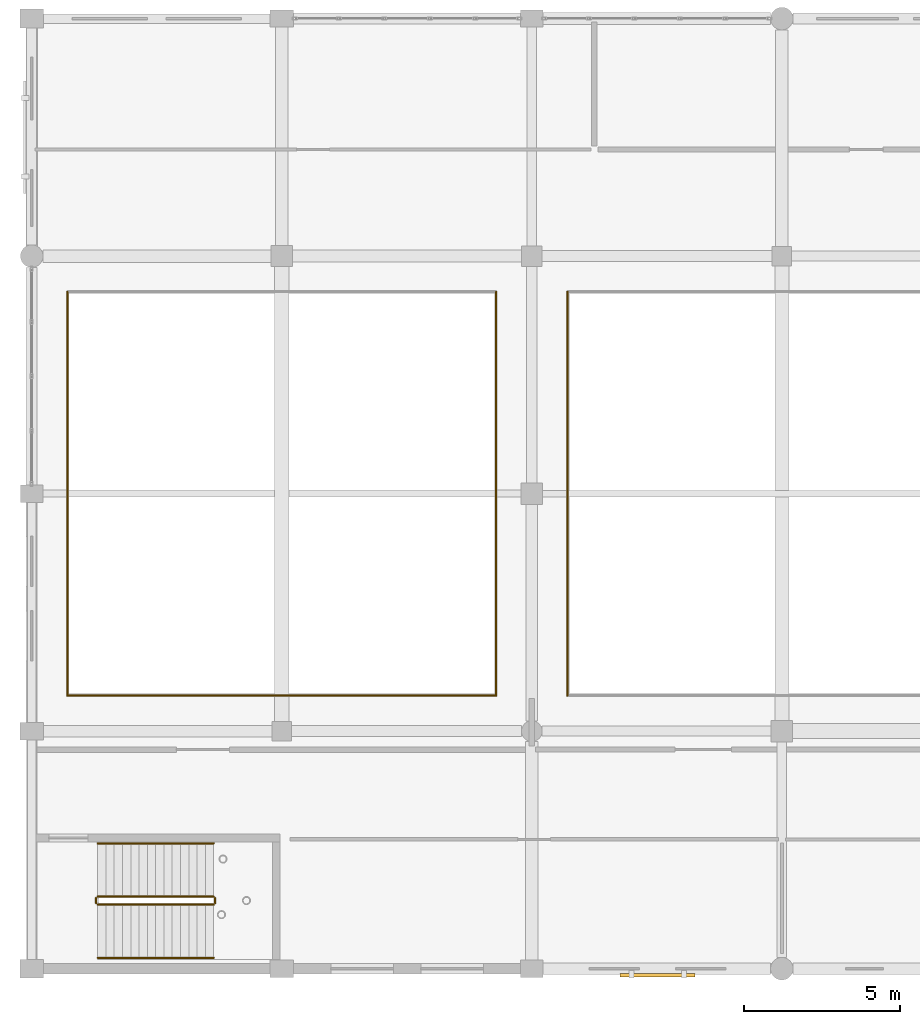
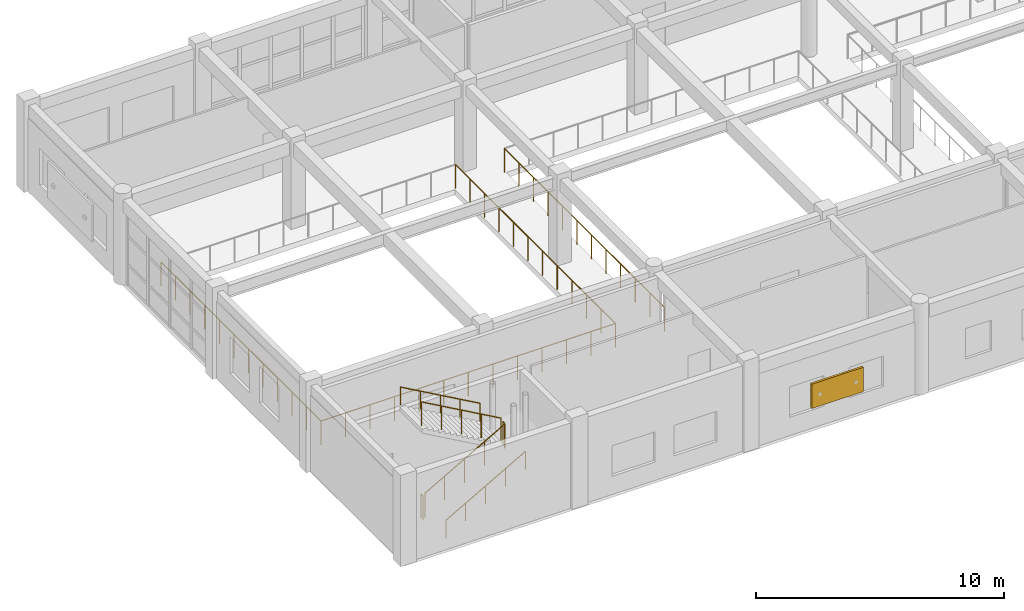
# One storey, part 144 of 160: 10 railings, 1 shading device.
"""IFC4 building model written with IfcOpenShell, lengths in metres."""

from ifc_helpers import new_model, si_unit, direction, frame, origin, origin_2d, place, context, subcontext, project, spatial, rectangle, circle, extrude, material, type_object, element, save


model = new_model("IFC4")

# Units and contexts
model_context = context("Model", 3, precision=1e-05, world=origin(), true_north=direction((0.0, 1.0)))
body_context = subcontext(model_context, "Body", "Model", "MODEL_VIEW")
ifc_project = project(units=[si_unit("LENGTHUNIT", "METRE"), si_unit("AREAUNIT", "SQUARE_METRE"), si_unit("VOLUMEUNIT", "CUBIC_METRE"), si_unit("PLANEANGLEUNIT", "RADIAN"), si_unit("MASSUNIT", "GRAM", prefix="KILO")], contexts=[model_context])

# Site, building, storey
site_placement = place(None, origin())
site = spatial("IfcSite", under=ifc_project, at=site_placement, CompositionType="ELEMENT")
building_placement = place(site_placement, origin())
building = spatial("IfcBuilding", under=site, at=building_placement, Name="Kharva Crest Polytechnic", CompositionType="ELEMENT")
storey_placement = place(building_placement, frame((0.0, 0.0, 4.5)))
storey = spatial("IfcBuildingStorey", under=building, at=storey_placement, Name="L01", CompositionType="ELEMENT", Elevation=4.5)

# Railings
ifc_material_1 = material(Name="Anodised aluminium", Category="aluminium")
railing_type_1 = type_object("IfcRailingType", Name="RL-STAIR-GUARD-1200", PredefinedType="GUARDRAIL", material=ifc_material_1)
railing_1_placement = place(storey_placement, frame((2.110107421875, 2.050048828125, 0.14990234375)))
element("IfcRailing", 1, at=railing_1_placement, inside=storey, type_object=railing_type_1, Name="L01 ST-10 stair guard 1", PredefinedType="GUARDRAIL", context=body_context, shape_type="SweptSolid", body=[
    extrude(circle(Radius=0.02392578125, at=origin_2d()), frame((0.0, 0.0, 1.17578125), z_axis=(0.870244811389, 0.0, 0.492619496418), x_axis=(0.0, 1.0, 0.0)), (0.0, 0.0, 1.0), 4.26318359375),
    extrude(circle(Radius=0.02099609375, at=origin_2d()), origin(), (0.0, 0.0, 1.0), 1.15185546875),
    extrude(circle(Radius=0.02099609375, at=origin_2d()), frame((0.927490234375, 0.0, 0.52490234375)), (0.0, 0.0, 1.0), 1.15185546875),
    extrude(circle(Radius=0.02099609375, at=origin_2d()), frame((1.85498046875, 0.0, 1.050048828125)), (0.0, 0.0, 1.0), 1.15185546875),
    extrude(circle(Radius=0.02099609375, at=origin_2d()), frame((2.782470703125, 0.0, 1.5751953125)), (0.0, 0.0, 1.0), 1.15185546875),
    extrude(circle(Radius=0.02099609375, at=origin_2d()), frame((3.7099609375, 0.0, 2.10009765625)), (0.0, 0.0, 1.0), 1.15185546875),
])
railing_2_placement = place(storey_placement, frame((5.8701171875, 2.10009765625, 2.25)))
element("IfcRailing", 2, at=railing_2_placement, inside=storey, type_object=railing_type_1, Name="L01 ST-10 stair guard 2", PredefinedType="GUARDRAIL", context=body_context, shape_type="SweptSolid", body=[
    extrude(circle(Radius=0.02392578125, at=origin_2d()), frame((0.0, 0.0, 1.17578125), z_axis=(0.0, 1.0, 0.0), x_axis=(-1.0, 0.0, 0.0)), (0.0, 0.0, 1.0), 0.159912109375),
    extrude(circle(Radius=0.02099609375, at=origin_2d()), origin(), (0.0, 0.0, 1.0), 1.15185546875),
    extrude(circle(Radius=0.02099609375, at=origin_2d()), frame((0.0, 0.159912109375, 0.0)), (0.0, 0.0, 1.0), 1.15185546875),
])
railing_3_placement = place(storey_placement, frame((5.820068359375, 2.31005859375, 2.39990234375)))
element("IfcRailing", 3, at=railing_3_placement, inside=storey, type_object=railing_type_1, Name="L01 ST-10 stair guard 3", PredefinedType="GUARDRAIL", context=body_context, shape_type="SweptSolid", body=[
    extrude(circle(Radius=0.02392578125, at=origin_2d()), frame((0.0, 0.0, 1.17578125), z_axis=(-0.870244811389, 0.0, 0.492619496418), x_axis=(0.0, -1.0, 0.0)), (0.0, 0.0, 1.0), 4.26318359375),
    extrude(circle(Radius=0.02099609375, at=origin_2d()), origin(), (0.0, 0.0, 1.0), 1.15185546875),
    extrude(circle(Radius=0.02099609375, at=origin_2d()), frame((-0.927490234375, 0.0, 0.52490234375)), (0.0, 0.0, 1.0), 1.15185546875),
    extrude(circle(Radius=0.02099609375, at=origin_2d()), frame((-1.85498046875, 0.0, 1.050048828125)), (0.0, 0.0, 1.0), 1.15185546875),
    extrude(circle(Radius=0.02099609375, at=origin_2d()), frame((-2.782470703125, 0.0, 1.5751953125)), (0.0, 0.0, 1.0), 1.15185546875),
    extrude(circle(Radius=0.02099609375, at=origin_2d()), frame((-3.7099609375, 0.0, 2.10009765625)), (0.0, 0.0, 1.0), 1.15185546875),
])
railing_4_placement = place(storey_placement, frame((2.06005859375, 2.10009765625, 0.0)))
element("IfcRailing", 4, at=railing_4_placement, inside=storey, type_object=railing_type_1, Name="L01 ST-10 stair guard 4", PredefinedType="GUARDRAIL", context=body_context, shape_type="SweptSolid", body=[
    extrude(circle(Radius=0.02392578125, at=origin_2d()), frame((0.0, 0.0, 1.17578125), z_axis=(0.0, 1.0, 0.0), x_axis=(-1.0, 0.0, 0.0)), (0.0, 0.0, 1.0), 0.159912109375),
    extrude(circle(Radius=0.02099609375, at=origin_2d()), origin(), (0.0, 0.0, 1.0), 1.15185546875),
    extrude(circle(Radius=0.02099609375, at=origin_2d()), frame((0.0, 0.159912109375, 0.0)), (0.0, 0.0, 1.0), 1.15185546875),
])
ifc_material_2 = material(Name="Teak timber", Category="wood")
railing_type_2 = type_object("IfcRailingType", Name="RL-STAIR-HAND-900", PredefinedType="HANDRAIL", material=ifc_material_2)
railing_5_placement = place(storey_placement, frame((2.110107421875, 0.35009765625, 0.14990234375)))
element("IfcRailing", 5, at=railing_5_placement, inside=storey, type_object=railing_type_2, Name="L01 ST-10 stair handrail 1", PredefinedType="HANDRAIL", context=body_context, shape_type="SweptSolid", body=[
    extrude(circle(Radius=0.02392578125, at=origin_2d()), frame((0.0, 0.0, 0.8759765625), z_axis=(0.870244811389, 0.0, 0.492619496418), x_axis=(0.0, 1.0, 0.0)), (0.0, 0.0, 1.0), 4.26318359375),
    extrude(circle(Radius=0.02099609375, at=origin_2d()), origin(), (0.0, 0.0, 1.0), 0.851806640625),
    extrude(circle(Radius=0.02099609375, at=origin_2d()), frame((0.927490234375, 0.0, 0.52490234375)), (0.0, 0.0, 1.0), 0.851806640625),
    extrude(circle(Radius=0.02099609375, at=origin_2d()), frame((1.85498046875, 0.0, 1.050048828125)), (0.0, 0.0, 1.0), 0.851806640625),
    extrude(circle(Radius=0.02099609375, at=origin_2d()), frame((2.782470703125, 0.0, 1.5751953125)), (0.0, 0.0, 1.0), 0.851806640625),
    extrude(circle(Radius=0.02099609375, at=origin_2d()), frame((3.7099609375, 0.0, 2.10009765625)), (0.0, 0.0, 1.0), 0.851806640625),
])
railing_6_placement = place(storey_placement, frame((5.820068359375, 4.010009765625, 2.39990234375)))
element("IfcRailing", 6, at=railing_6_placement, inside=storey, type_object=railing_type_2, Name="L01 ST-10 stair handrail 2", PredefinedType="HANDRAIL", context=body_context, shape_type="SweptSolid", body=[
    extrude(circle(Radius=0.02392578125, at=origin_2d()), frame((0.0, 0.0, 0.8759765625), z_axis=(-0.870244811389, 0.0, 0.492619496418), x_axis=(0.0, -1.0, 0.0)), (0.0, 0.0, 1.0), 4.26318359375),
    extrude(circle(Radius=0.02099609375, at=origin_2d()), origin(), (0.0, 0.0, 1.0), 0.851806640625),
    extrude(circle(Radius=0.02099609375, at=origin_2d()), frame((-0.927490234375, 0.0, 0.52490234375)), (0.0, 0.0, 1.0), 0.851806640625),
    extrude(circle(Radius=0.02099609375, at=origin_2d()), frame((-1.85498046875, 0.0, 1.050048828125)), (0.0, 0.0, 1.0), 0.851806640625),
    extrude(circle(Radius=0.02099609375, at=origin_2d()), frame((-2.782470703125, 0.0, 1.5751953125)), (0.0, 0.0, 1.0), 0.851806640625),
    extrude(circle(Radius=0.02099609375, at=origin_2d()), frame((-3.7099609375, 0.0, 2.10009765625)), (0.0, 0.0, 1.0), 0.851806640625),
])
railing_type_3 = type_object("IfcRailingType", Name="RL-VOID-GUARD-1200", PredefinedType="GUARDRAIL", material=ifc_material_1)
railing_7_placement = place(storey_placement, frame((1.139892578125, 8.739990234375, 0.0)))
element("IfcRailing", 7, at=railing_7_placement, inside=storey, type_object=railing_type_3, Name="L01 Atrium Void Guard 5", PredefinedType="GUARDRAIL", context=body_context, shape_type="SweptSolid", body=[
    extrude(circle(Radius=0.02392578125, at=origin_2d()), frame((0.0, 0.0, 1.17578125), z_axis=(1.0, 0.0, 0.0), x_axis=(0.0, 1.0, 0.0)), (0.0, 0.0, 1.0), 13.72021484375),
    extrude(circle(Radius=0.02099609375, at=origin_2d()), origin(), (0.0, 0.0, 1.0), 1.15185546875),
    extrude(circle(Radius=0.02099609375, at=origin_2d()), frame((1.143310546875, 0.0, 0.0)), (0.0, 0.0, 1.0), 1.15185546875),
    extrude(circle(Radius=0.02099609375, at=origin_2d()), frame((2.28662109375, 0.0, 0.0)), (0.0, 0.0, 1.0), 1.15185546875),
    extrude(circle(Radius=0.02099609375, at=origin_2d()), frame((3.43017578125, 0.0, 0.0)), (0.0, 0.0, 1.0), 1.15185546875),
    extrude(circle(Radius=0.02099609375, at=origin_2d()), frame((4.573486328125, 0.0, 0.0)), (0.0, 0.0, 1.0), 1.15185546875),
    extrude(circle(Radius=0.02099609375, at=origin_2d()), frame((5.716796875, 0.0, 0.0)), (0.0, 0.0, 1.0), 1.15185546875),
    extrude(circle(Radius=0.02099609375, at=origin_2d()), frame((6.860107421875, 0.0, 0.0)), (0.0, 0.0, 1.0), 1.15185546875),
    extrude(circle(Radius=0.02099609375, at=origin_2d()), frame((8.00341796875, 0.0, 0.0)), (0.0, 0.0, 1.0), 1.15185546875),
    extrude(circle(Radius=0.02099609375, at=origin_2d()), frame((9.146728515625, 0.0, 0.0)), (0.0, 0.0, 1.0), 1.15185546875),
    extrude(circle(Radius=0.02099609375, at=origin_2d()), frame((10.2900390625, 0.0, 0.0)), (0.0, 0.0, 1.0), 1.15185546875),
    extrude(circle(Radius=0.02099609375, at=origin_2d()), frame((11.43359375, 0.0, 0.0)), (0.0, 0.0, 1.0), 1.15185546875),
    extrude(circle(Radius=0.02099609375, at=origin_2d()), frame((12.576904296875, 0.0, 0.0)), (0.0, 0.0, 1.0), 1.15185546875),
    extrude(circle(Radius=0.02099609375, at=origin_2d()), frame((13.72021484375, 0.0, 0.0)), (0.0, 0.0, 1.0), 1.15185546875),
])
railing_8_placement = place(storey_placement, frame((14.860107421875, 8.739990234375, 0.0)))
element("IfcRailing", 8, at=railing_8_placement, inside=storey, type_object=railing_type_3, Name="L01 Atrium Void Guard 6", PredefinedType="GUARDRAIL", context=body_context, shape_type="SweptSolid", body=[
    extrude(circle(Radius=0.02392578125, at=origin_2d()), frame((0.0, 0.0, 1.17578125), z_axis=(0.0, 1.0, 0.0), x_axis=(-1.0, 0.0, 0.0)), (0.0, 0.0, 1.0), 12.919921875),
    extrude(circle(Radius=0.02099609375, at=origin_2d()), origin(), (0.0, 0.0, 1.0), 1.15185546875),
    extrude(circle(Radius=0.02099609375, at=origin_2d()), frame((0.0, 1.174560546875, 0.0)), (0.0, 0.0, 1.0), 1.15185546875),
    extrude(circle(Radius=0.02099609375, at=origin_2d()), frame((0.0, 2.34912109375, 0.0)), (0.0, 0.0, 1.0), 1.15185546875),
    extrude(circle(Radius=0.02099609375, at=origin_2d()), frame((0.0, 3.523681640625, 0.0)), (0.0, 0.0, 1.0), 1.15185546875),
    extrude(circle(Radius=0.02099609375, at=origin_2d()), frame((0.0, 4.6982421875, 0.0)), (0.0, 0.0, 1.0), 1.15185546875),
    extrude(circle(Radius=0.02099609375, at=origin_2d()), frame((0.0, 5.872802734375, 0.0)), (0.0, 0.0, 1.0), 1.15185546875),
    extrude(circle(Radius=0.02099609375, at=origin_2d()), frame((0.0, 7.047119140625, 0.0)), (0.0, 0.0, 1.0), 1.15185546875),
    extrude(circle(Radius=0.02099609375, at=origin_2d()), frame((0.0, 8.2216796875, 0.0)), (0.0, 0.0, 1.0), 1.15185546875),
    extrude(circle(Radius=0.02099609375, at=origin_2d()), frame((0.0, 9.396240234375, 0.0)), (0.0, 0.0, 1.0), 1.15185546875),
    extrude(circle(Radius=0.02099609375, at=origin_2d()), frame((0.0, 10.57080078125, 0.0)), (0.0, 0.0, 1.0), 1.15185546875),
    extrude(circle(Radius=0.02099609375, at=origin_2d()), frame((0.0, 11.745361328125, 0.0)), (0.0, 0.0, 1.0), 1.15185546875),
    extrude(circle(Radius=0.02099609375, at=origin_2d()), frame((0.0, 12.919921875, 0.0)), (0.0, 0.0, 1.0), 1.15185546875),
])
for number, where, name in (
    (9, (1.139892578125, 21.659912109375, 0.0), "L01 Atrium Void Guard 8"),
    (10, (17.139892578125, 21.659912109375, 0.0), "L01 Atrium Void Guard 12"),
):
    element("IfcRailing", number, at=place(storey_placement, frame(where)), inside=storey, type_object=railing_type_3, Name=name, PredefinedType="GUARDRAIL", context=body_context, shape_type="SweptSolid", body=[
        extrude(circle(Radius=0.02392578125, at=origin_2d()), frame((0.0, 0.0, 1.17578125), z_axis=(0.0, -1.0, 0.0), x_axis=(1.0, 0.0, 0.0)), (0.0, 0.0, 1.0), 12.919921875),
        extrude(circle(Radius=0.02099609375, at=origin_2d()), origin(), (0.0, 0.0, 1.0), 1.15185546875),
        extrude(circle(Radius=0.02099609375, at=origin_2d()), frame((0.0, -1.174560546875, 0.0)), (0.0, 0.0, 1.0), 1.15185546875),
        extrude(circle(Radius=0.02099609375, at=origin_2d()), frame((0.0, -2.34912109375, 0.0)), (0.0, 0.0, 1.0), 1.15185546875),
        extrude(circle(Radius=0.02099609375, at=origin_2d()), frame((0.0, -3.523681640625, 0.0)), (0.0, 0.0, 1.0), 1.15185546875),
        extrude(circle(Radius=0.02099609375, at=origin_2d()), frame((0.0, -4.6982421875, 0.0)), (0.0, 0.0, 1.0), 1.15185546875),
        extrude(circle(Radius=0.02099609375, at=origin_2d()), frame((0.0, -5.872802734375, 0.0)), (0.0, 0.0, 1.0), 1.15185546875),
        extrude(circle(Radius=0.02099609375, at=origin_2d()), frame((0.0, -7.047119140625, 0.0)), (0.0, 0.0, 1.0), 1.15185546875),
        extrude(circle(Radius=0.02099609375, at=origin_2d()), frame((0.0, -8.2216796875, 0.0)), (0.0, 0.0, 1.0), 1.15185546875),
        extrude(circle(Radius=0.02099609375, at=origin_2d()), frame((0.0, -9.396240234375, 0.0)), (0.0, 0.0, 1.0), 1.15185546875),
        extrude(circle(Radius=0.02099609375, at=origin_2d()), frame((0.0, -10.57080078125, 0.0)), (0.0, 0.0, 1.0), 1.15185546875),
        extrude(circle(Radius=0.02099609375, at=origin_2d()), frame((0.0, -11.745361328125, 0.0)), (0.0, 0.0, 1.0), 1.15185546875),
        extrude(circle(Radius=0.02099609375, at=origin_2d()), frame((0.0, -12.919921875, 0.0)), (0.0, 0.0, 1.0), 1.15185546875),
    ])

# Shading device
ifc_material_3 = material(Name="Perforated terracotta", Category="masonry")
shading_device_type = type_object("IfcShadingDeviceType", Name="SHD-LOUVRE-2400X1200", PredefinedType="USERDEFINED", material=ifc_material_3)
shading_device_placement = place(storey_placement, frame((20.0263671875, -0.2080078125, 1.0498046875), z_axis=(0.0, 0.0, 1.0), x_axis=(1.0, 0.0, 0.0)))
element("IfcShadingDevice", 11, at=shading_device_placement, inside=storey, type_object=shading_device_type, Name="L01 Terracotta Jaali Solar Screen 26", ObjectType="LOUVRE", PredefinedType="USERDEFINED", context=body_context, shape_type="SweptSolid", body=[
    extrude(rectangle(XDim=2.39990234375, YDim=0.10009765625, at=origin_2d()), origin(), (0.0, 0.0, 1.0), 1.199951171875),
])

save(model, "model.ifc")
